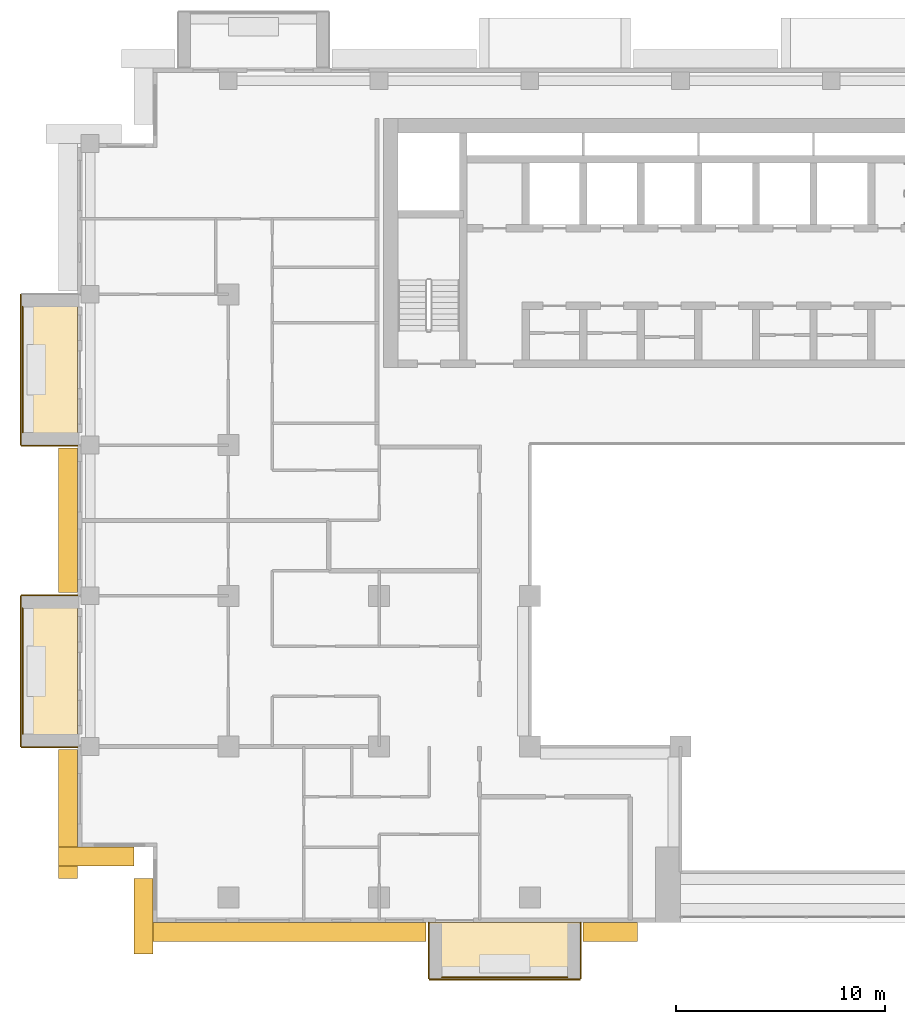
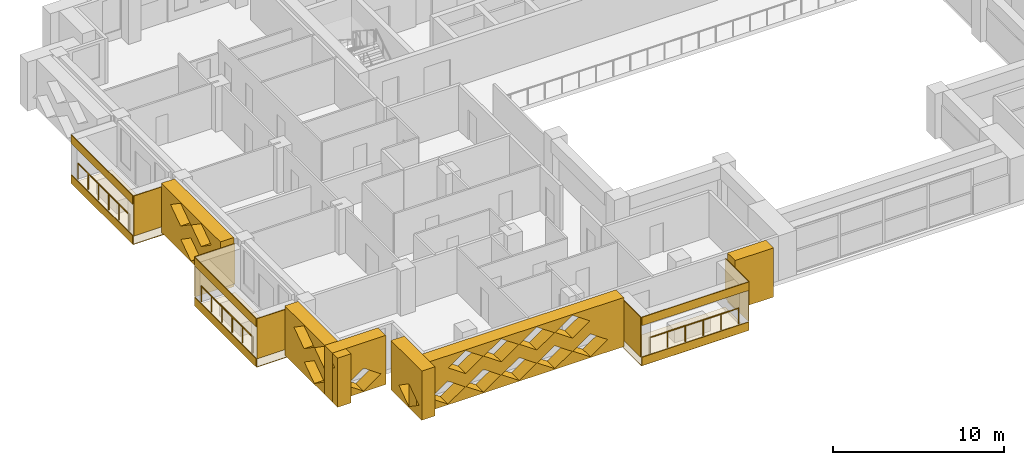
# One storey, part 14 of 20: 20 coverings, 3 railings.
"""IFC4 building model written with IfcOpenShell, lengths in metres."""

from ifc_helpers import new_model, si_unit, direction, frame, origin, origin_2d, place, context, subcontext, project, spatial, polyline, circle, outline, extrude, material, layer, layer_set, type_object, element, save


model = new_model("IFC4")

# Units and contexts
model_context = context("Model", 3, precision=1e-05, world=origin(), true_north=direction((0.0, 1.0)))
body_context = subcontext(model_context, "Body", "Model", "MODEL_VIEW")
ifc_project = project(units=[si_unit("LENGTHUNIT", "METRE"), si_unit("AREAUNIT", "SQUARE_METRE"), si_unit("VOLUMEUNIT", "CUBIC_METRE"), si_unit("PLANEANGLEUNIT", "RADIAN"), si_unit("MASSUNIT", "GRAM", prefix="KILO")], contexts=[model_context])

# Site, building, storey
site_placement = place(None, origin())
site = spatial("IfcSite", under=ifc_project, at=site_placement, CompositionType="ELEMENT")
building_placement = place(site_placement, origin())
building = spatial("IfcBuilding", under=site, at=building_placement, Name="Saffron Iwan Residences", CompositionType="ELEMENT")
storey_placement = place(building_placement, frame((0.0, 0.0, 153.5)))
storey = spatial("IfcBuildingStorey", under=building, at=storey_placement, Name="L40", CompositionType="ELEMENT", Elevation=153.5)

# Railings
ifc_material_1 = material(Name="Stainless steel 316", Category="steel")
railing_type = type_object("IfcRailingType", Name="BALCONY GUARD 1150", PredefinedType="GUARDRAIL", material=ifc_material_1)
for number, where, name in (
    (1, (11.77490234375, 69.0, 0.0), "Balcony guard L40 F8-0"),
    (2, (11.77490234375, 54.60009765625, 0.0), "Balcony guard L40 F8-1"),
):
    element("IfcRailing", number, at=place(storey_placement, frame(where)), inside=storey, type_object=railing_type, Name=name, PredefinedType="GUARDRAIL", context=body_context, shape_type="SweptSolid", body=[
        extrude(circle(Radius=0.02392578125, at=origin_2d()), frame((0.0, 0.0, 1.1259765625), z_axis=(0.0, -1.0, 0.0), x_axis=(1.0, 0.0, 0.0)), (0.0, 0.0, 1.0), 6.0),
        extrude(circle(Radius=0.02099609375, at=origin_2d()), origin(), (0.0, 0.0, 1.0), 1.101806640625),
        extrude(circle(Radius=0.02099609375, at=origin_2d()), frame((0.0, -1.199951171875, 0.0)), (0.0, 0.0, 1.0), 1.101806640625),
        extrude(circle(Radius=0.02099609375, at=origin_2d()), frame((0.0, -2.39990234375, 0.0)), (0.0, 0.0, 1.0), 1.101806640625),
        extrude(circle(Radius=0.02099609375, at=origin_2d()), frame((0.0, -3.60009765625, 0.0)), (0.0, 0.0, 1.0), 1.101806640625),
        extrude(circle(Radius=0.02099609375, at=origin_2d()), frame((0.0, -4.800048828125, 0.0)), (0.0, 0.0, 1.0), 1.101806640625),
        extrude(circle(Radius=0.02099609375, at=origin_2d()), frame((0.0, -6.0, 0.0)), (0.0, 0.0, 1.0), 1.101806640625),
    ])
railing_placement = place(storey_placement, frame((31.800048828125, 36.97509765625, 0.0)))
element("IfcRailing", 3, at=railing_placement, inside=storey, type_object=railing_type, Name="Balcony guard L40 11-0", PredefinedType="GUARDRAIL", context=body_context, shape_type="SweptSolid", body=[
    extrude(circle(Radius=0.02392578125, at=origin_2d()), frame((0.0, 0.0, 1.1259765625), z_axis=(1.0, 0.0, 0.0), x_axis=(0.0, 1.0, 0.0)), (0.0, 0.0, 1.0), 6.0),
    extrude(circle(Radius=0.02099609375, at=origin_2d()), origin(), (0.0, 0.0, 1.0), 1.101806640625),
    extrude(circle(Radius=0.02099609375, at=origin_2d()), frame((1.199951171875, 0.0, 0.0)), (0.0, 0.0, 1.0), 1.101806640625),
    extrude(circle(Radius=0.02099609375, at=origin_2d()), frame((2.39990234375, 0.0, 0.0)), (0.0, 0.0, 1.0), 1.101806640625),
    extrude(circle(Radius=0.02099609375, at=origin_2d()), frame((3.60009765625, 0.0, 0.0)), (0.0, 0.0, 1.0), 1.101806640625),
    extrude(circle(Radius=0.02099609375, at=origin_2d()), frame((4.800048828125, 0.0, 0.0)), (0.0, 0.0, 1.0), 1.101806640625),
    extrude(circle(Radius=0.02099609375, at=origin_2d()), frame((6.0, 0.0, 0.0)), (0.0, 0.0, 1.0), 1.101806640625),
])

# Coverings
ifc_material_2 = material(Name="Precast concrete C40/50 white painted", Category="concrete")
ifc_layer = layer(ifc_material_2, 0.050048828125)
ifc_layer_set = layer_set([ifc_layer], Name="Precast concrete C40/50 white painted")
covering_type_1 = type_object("IfcCoveringType", Name="FRAME SKIN PRECAST WHITE 50", PredefinedType="CLADDING", material=ifc_layer_set)
for number, where, name in (
    (4, (0.0, 0.0, -0.60009765625), "Frame skin slab edge L40 F8-0"),
    (5, (0.0, 0.0, 2.25), "Frame skin fascia L40 F8-0"),
):
    element("IfcCovering", number, at=place(storey_placement, frame(where)), inside=storey, type_object=covering_type_1, Name=name, PredefinedType="CLADDING", context=body_context, shape_type="SweptSolid", body=[
        extrude(outline(polyline([(11.64990234375, 69.60009765625), (11.64990234375, 62.39990234375), (11.699951171875, 62.39990234375), (11.699951171875, 69.60009765625), (11.64990234375, 69.60009765625)])), origin(), (0.0, 0.0, 1.0), 0.60009765625),
    ])
covering_1_placement = place(storey_placement, frame((0.0, 0.0, -0.64990234375)))
element("IfcCovering", 6, at=covering_1_placement, inside=storey, type_object=covering_type_1, Name="Frame skin soffit L40 F8-0", PredefinedType="CLADDING", context=body_context, shape_type="SweptSolid", body=[
    extrude(outline(polyline([(11.699951171875, 69.60009765625), (11.699951171875, 62.39990234375), (14.39990234375, 62.39990234375), (14.39990234375, 69.60009765625), (11.699951171875, 69.60009765625)])), origin(), (0.0, 0.0, 1.0), 0.0498046875),
])
covering_2_placement = place(storey_placement, origin())
element("IfcCovering", 7, at=covering_2_placement, inside=storey, type_object=covering_type_1, Name="Frame skin fin L40 F8-0b", PredefinedType="CLADDING", context=body_context, shape_type="SweptSolid", body=[
    extrude(outline(polyline([(11.699951171875, 62.39990234375), (11.699951171875, 62.35009765625), (14.39990234375, 62.35009765625), (14.39990234375, 62.39990234375), (11.699951171875, 62.39990234375)])), origin(), (0.0, 0.0, 1.0), 2.85009765625),
])
for number, where, name in (
    (8, (0.0, 0.0, -0.60009765625), "Frame skin slab edge L40 F8-1"),
    (9, (0.0, 0.0, 2.25), "Frame skin fascia L40 F8-1"),
):
    element("IfcCovering", number, at=place(storey_placement, frame(where)), inside=storey, type_object=covering_type_1, Name=name, PredefinedType="CLADDING", context=body_context, shape_type="SweptSolid", body=[
        extrude(outline(polyline([(11.64990234375, 55.199951171875), (11.64990234375, 48.0), (11.699951171875, 48.0), (11.699951171875, 55.199951171875), (11.64990234375, 55.199951171875)])), origin(), (0.0, 0.0, 1.0), 0.60009765625),
    ])
covering_3_placement = place(storey_placement, frame((0.0, 0.0, -0.64990234375)))
element("IfcCovering", 10, at=covering_3_placement, inside=storey, type_object=covering_type_1, Name="Frame skin soffit L40 F8-1", PredefinedType="CLADDING", context=body_context, shape_type="SweptSolid", body=[
    extrude(outline(polyline([(11.699951171875, 55.199951171875), (11.699951171875, 48.0), (14.39990234375, 48.0), (14.39990234375, 55.199951171875), (11.699951171875, 55.199951171875)])), origin(), (0.0, 0.0, 1.0), 0.0498046875),
])
covering_4_placement = place(storey_placement, origin())
element("IfcCovering", 11, at=covering_4_placement, inside=storey, type_object=covering_type_1, Name="Frame skin fin L40 F8-1a", PredefinedType="CLADDING", context=body_context, shape_type="SweptSolid", body=[
    extrude(outline(polyline([(11.699951171875, 55.25), (11.699951171875, 55.199951171875), (14.39990234375, 55.199951171875), (14.39990234375, 55.25), (11.699951171875, 55.25)])), origin(), (0.0, 0.0, 1.0), 2.85009765625),
])
covering_5_placement = place(storey_placement, origin())
element("IfcCovering", 12, at=covering_5_placement, inside=storey, type_object=covering_type_1, Name="Frame skin fin L40 F8-1b", PredefinedType="CLADDING", context=body_context, shape_type="SweptSolid", body=[
    extrude(outline(polyline([(11.699951171875, 48.0), (11.699951171875, 47.949951171875), (14.39990234375, 47.949951171875), (14.39990234375, 48.0), (11.699951171875, 48.0)])), origin(), (0.0, 0.0, 1.0), 2.85009765625),
])
for number, where, name in (
    (13, (0.0, 0.0, -0.60009765625), "Frame skin slab edge L40 11-0"),
    (14, (0.0, 0.0, 2.25), "Frame skin fascia L40 11-0"),
):
    element("IfcCovering", number, at=place(storey_placement, frame(where)), inside=storey, type_object=covering_type_1, Name=name, PredefinedType="CLADDING", context=body_context, shape_type="SweptSolid", body=[
        extrude(outline(polyline([(31.199951171875, 36.85009765625), (38.39990234375, 36.85009765625), (38.39990234375, 36.89990234375), (31.199951171875, 36.89990234375), (31.199951171875, 36.85009765625)])), origin(), (0.0, 0.0, 1.0), 0.60009765625),
    ])
covering_6_placement = place(storey_placement, frame((0.0, 0.0, -0.64990234375)))
element("IfcCovering", 15, at=covering_6_placement, inside=storey, type_object=covering_type_1, Name="Frame skin soffit L40 11-0", PredefinedType="CLADDING", context=body_context, shape_type="SweptSolid", body=[
    extrude(outline(polyline([(31.199951171875, 36.89990234375), (38.39990234375, 36.89990234375), (38.39990234375, 39.60009765625), (31.199951171875, 39.60009765625), (31.199951171875, 36.89990234375)])), origin(), (0.0, 0.0, 1.0), 0.0498046875),
])
covering_7_placement = place(storey_placement, origin())
element("IfcCovering", 16, at=covering_7_placement, inside=storey, type_object=covering_type_1, Name="Frame skin fin L40 11-0a", PredefinedType="CLADDING", context=body_context, shape_type="SweptSolid", body=[
    extrude(outline(polyline([(31.14990234375, 36.89990234375), (31.199951171875, 36.89990234375), (31.199951171875, 39.60009765625), (31.14990234375, 39.60009765625), (31.14990234375, 36.89990234375)])), origin(), (0.0, 0.0, 1.0), 2.85009765625),
])
covering_8_placement = place(storey_placement, origin())
element("IfcCovering", 17, at=covering_8_placement, inside=storey, type_object=covering_type_1, Name="Frame skin fin L40 11-0b", PredefinedType="CLADDING", context=body_context, shape_type="SweptSolid", body=[
    extrude(outline(polyline([(38.39990234375, 36.89990234375), (38.449951171875, 36.89990234375), (38.449951171875, 39.60009765625), (38.39990234375, 39.60009765625), (38.39990234375, 36.89990234375)])), origin(), (0.0, 0.0, 1.0), 2.85009765625),
])
ifc_material_3 = material(Name="Precast concrete C40/50", Category="concrete")
covering_type_2 = type_object("IfcCoveringType", Name="OUTER SKIN LATTICE SCREEN", PredefinedType="CLADDING", material=ifc_material_3)
covering_9_placement = place(storey_placement, frame((14.39990234375, 62.25, -0.300048828125), z_axis=(-1.0, 0.0, 0.0), x_axis=(0.0, -1.0, 0.0)))
element("IfcCovering", 18, at=covering_9_placement, inside=storey, type_object=covering_type_2, Name="OUTER SKIN lattice screen L40 F8.1", PredefinedType="CLADDING", context=body_context, shape_type="SweptSolid", body=[
    extrude(outline(polyline([(0.0, 0.0), (6.89990234375, 0.0), (6.89990234375, 3.5), (0.0, 3.5), (0.0, 0.0)]), holes=[polyline([(2.27001953125, 0.875), (3.449951171875, 0.06005859375), (4.6298828125, 0.875), (3.449951171875, 1.68994140625), (2.27001953125, 0.875)]), polyline([(1.070068359375, 2.625), (2.25, 1.81005859375), (3.429931640625, 2.625), (2.25, 3.43994140625), (1.070068359375, 2.625)]), polyline([(3.469970703125, 2.625), (4.64990234375, 1.81005859375), (5.830078125, 2.625), (4.64990234375, 3.43994140625), (3.469970703125, 2.625)])]), origin(), (0.0, 0.0, 1.0), 0.89990234375),
])
covering_10_placement = place(storey_placement, frame((14.39990234375, 47.85009765625, -0.300048828125), z_axis=(-1.0, 0.0, 0.0), x_axis=(0.0, -1.0, 0.0)))
element("IfcCovering", 19, at=covering_10_placement, inside=storey, type_object=covering_type_2, Name="OUTER SKIN lattice screen L40 F8.2", PredefinedType="CLADDING", context=body_context, shape_type="SweptSolid", body=[
    extrude(outline(polyline([(0.0, 0.0), (6.14990234375, 0.0), (6.14990234375, 3.5), (0.0, 3.5), (0.0, 0.0)]), holes=[polyline([(2.27001953125, 0.875), (3.449951171875, 0.06005859375), (4.6298828125, 0.875), (3.449951171875, 1.68994140625), (2.27001953125, 0.875)]), polyline([(1.070068359375, 2.625), (2.25, 1.81005859375), (3.429931640625, 2.625), (2.25, 3.43994140625), (1.070068359375, 2.625)]), polyline([(3.469970703125, 2.625), (4.64990234375, 1.81005859375), (5.830078125, 2.625), (4.64990234375, 3.43994140625), (3.469970703125, 2.625)])]), origin(), (0.0, 0.0, 1.0), 0.89990234375),
])
for number, where, z_axis, x_axis, name in (
    (20, (13.5, 43.199951171875, -0.300048828125), (0.0, -1.0, 0.0), (1.0, 0.0, 0.0), "OUTER SKIN lattice screen L40 F9.0"),
    (21, (18.0, 41.699951171875, -0.300048828125), (-1.0, 0.0, 0.0), (0.0, -1.0, 0.0), "OUTER SKIN lattice screen L40 F10.0"),
):
    element("IfcCovering", number, at=place(storey_placement, frame(where, z_axis=z_axis, x_axis=x_axis)), inside=storey, type_object=covering_type_2, Name=name, PredefinedType="CLADDING", context=body_context, shape_type="SweptSolid", body=[
        extrude(outline(polyline([(0.0, 0.0), (3.60009765625, 0.0), (3.60009765625, 3.5), (0.0, 3.5), (0.0, 0.0)]), holes=[polyline([(0.919921875, 0.875), (2.10009765625, 0.06005859375), (3.280029296875, 0.875), (2.10009765625, 1.68994140625), (0.919921875, 0.875)])]), origin(), (0.0, 0.0, 1.0), 0.89990234375),
    ])
covering_11_placement = place(storey_placement, frame((17.10009765625, 39.60009765625, -0.300048828125), z_axis=(0.0, -1.0, 0.0), x_axis=(1.0, 0.0, 0.0)))
element("IfcCovering", 22, at=covering_11_placement, inside=storey, type_object=covering_type_2, Name="OUTER SKIN lattice screen L40 F11.0", PredefinedType="CLADDING", context=body_context, shape_type="SweptSolid", body=[
    extrude(outline(polyline([(0.0, 0.0), (13.949951171875, 0.0), (13.949951171875, 3.5), (0.0, 3.5), (0.0, 0.0)]), holes=[polyline([(0.919921875, 0.875), (2.10009765625, 0.06005859375), (3.280029296875, 0.875), (2.10009765625, 1.68994140625), (0.919921875, 0.875)]), polyline([(3.320068359375, 0.875), (4.5, 0.06005859375), (5.679931640625, 0.875), (4.5, 1.68994140625), (3.320068359375, 0.875)]), polyline([(5.719970703125, 0.875), (6.89990234375, 0.06005859375), (8.080078125, 0.875), (6.89990234375, 1.68994140625), (5.719970703125, 0.875)]), polyline([(8.1201171875, 0.875), (9.300048828125, 0.06005859375), (10.47998046875, 0.875), (9.300048828125, 1.68994140625), (8.1201171875, 0.875)]), polyline([(10.52001953125, 0.875), (11.699951171875, 0.06005859375), (12.8798828125, 0.875), (11.699951171875, 1.68994140625), (10.52001953125, 0.875)]), polyline([(2.1201171875, 2.625), (3.300048828125, 1.81005859375), (4.47998046875, 2.625), (3.300048828125, 3.43994140625), (2.1201171875, 2.625)]), polyline([(4.52001953125, 2.625), (5.699951171875, 1.81005859375), (6.8798828125, 2.625), (5.699951171875, 3.43994140625), (4.52001953125, 2.625)]), polyline([(6.919921875, 2.625), (8.10009765625, 1.81005859375), (9.280029296875, 2.625), (8.10009765625, 3.43994140625), (6.919921875, 2.625)]), polyline([(9.320068359375, 2.625), (10.5, 1.81005859375), (11.679931640625, 2.625), (10.5, 3.43994140625), (9.320068359375, 2.625)])]), origin(), (0.0, 0.0, 1.0), 0.900146484375),
])
covering_12_placement = place(storey_placement, frame((38.550048828125, 39.60009765625, -0.300048828125), z_axis=(0.0, -1.0, 0.0), x_axis=(1.0, 0.0, 0.0)))
element("IfcCovering", 23, at=covering_12_placement, inside=storey, type_object=covering_type_2, Name="OUTER SKIN lattice screen L40 F11.1", PredefinedType="CLADDING", context=body_context, shape_type="SweptSolid", body=[
    extrude(outline(polyline([(0.0, 0.0), (2.60009765625, 0.0), (2.60009765625, 3.5), (0.0, 3.5), (0.0, 0.0)])), origin(), (0.0, 0.0, 1.0), 0.900146484375),
])

save(model, "model.ifc")
